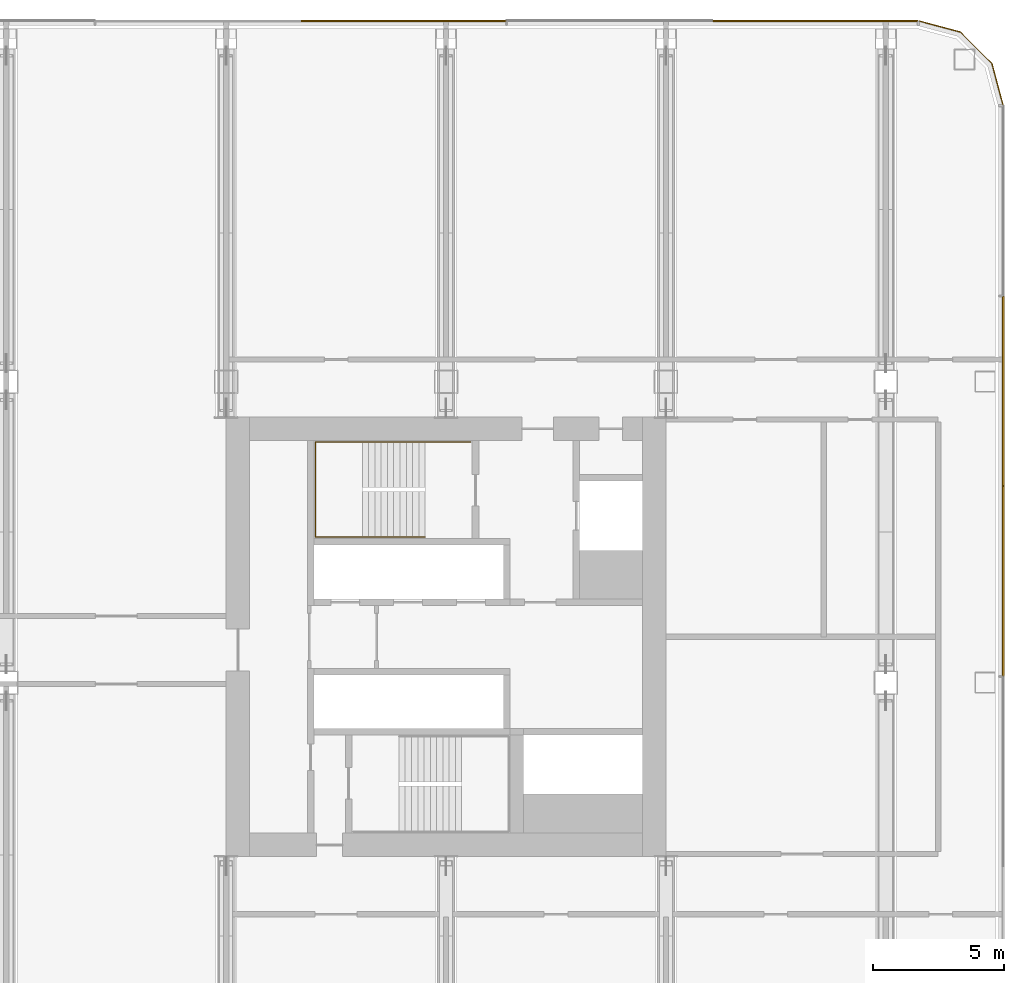
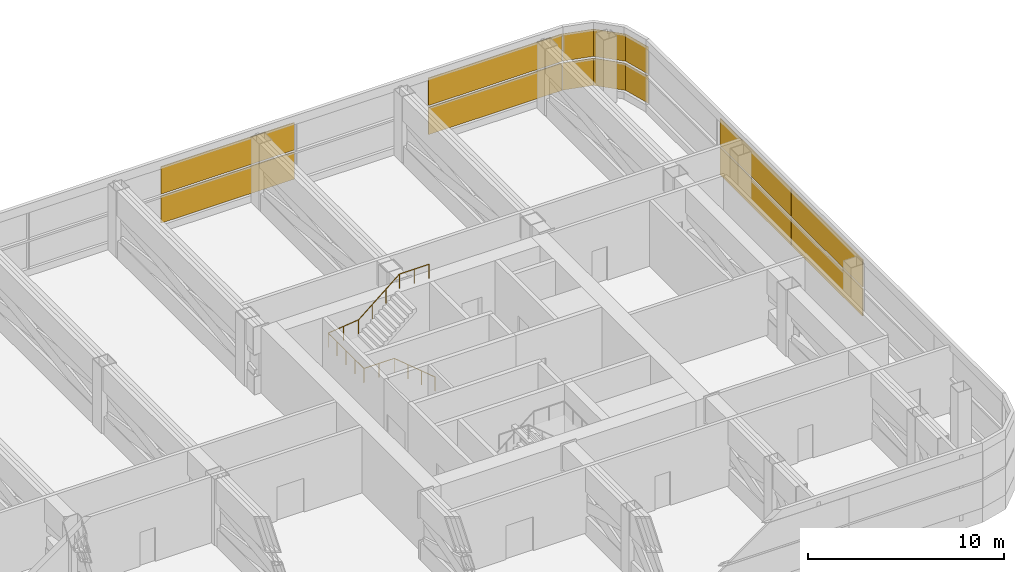
# One storey, part 31 of 31: 10 shading devices, 1 railing, 3 elements without a shape of their own.
"""IFC4 building model written with IfcOpenShell, lengths in metres."""

from ifc_helpers import new_model, si_unit, direction, frame, origin, origin_2d, place, context, subcontext, project, spatial, polyline, rectangle, circle, outline, extrude, material, layer, layer_set, type_object, element, aggregate, save


model = new_model("IFC4")

# Units and contexts
model_context = context("Model", 3, precision=1e-05, world=origin(), true_north=direction((0.0, 1.0)))
body_context = subcontext(model_context, "Body", "Model", "MODEL_VIEW")
ifc_project = project(units=[si_unit("LENGTHUNIT", "METRE"), si_unit("AREAUNIT", "SQUARE_METRE"), si_unit("VOLUMEUNIT", "CUBIC_METRE"), si_unit("PLANEANGLEUNIT", "RADIAN"), si_unit("MASSUNIT", "GRAM", prefix="KILO")], contexts=[model_context])

# Site, building, storey
site_placement = place(None, origin())
site = spatial("IfcSite", under=ifc_project, at=site_placement, CompositionType="ELEMENT")
building_placement = place(site_placement, origin())
building = spatial("IfcBuilding", under=site, at=building_placement, Name="Hakoniwa Tower and Hamabe Station Hall", CompositionType="ELEMENT")
storey_placement = place(building_placement, frame((0.0, 0.0, 120.199951171875)))
storey = spatial("IfcBuildingStorey", under=building, at=storey_placement, Name="L34", CompositionType="ELEMENT", Elevation=120.199951171875)

# Curtain wall, shading devices
ifc_material_1 = material(Name="Dark low-e laminated glass", Category="glass")
ifc_layer_1 = layer(ifc_material_1, 0.199951171875)
ifc_layer_set_1 = layer_set([ifc_layer_1], Name="CW-6 PLANT LOUVRE")
curtain_wall_type = type_object("IfcCurtainWallType", Name="CW-6 PLANT LOUVRE", PredefinedType="NOTDEFINED", material=ifc_layer_set_1)
curtain_wall_1_placement = place(storey_placement, origin())
curtain_wall_1 = element("IfcCurtainWall", 1, at=curtain_wall_1_placement, inside=storey, type_object=curtain_wall_type, Name="CW-6 curtain wall", PredefinedType="NOTDEFINED")
ifc_material_2 = material(Name="Aluminium 6063-T5 black anodised louvre", Category="aluminium")
ifc_layer_2 = layer(ifc_material_2, 0.06005859375)
ifc_layer_set_2 = layer_set([ifc_layer_2], Name="CW-6 LOUVRE UNIT")
shading_device_type = type_object("IfcShadingDeviceType", Name="CW-6 LOUVRE UNIT", PredefinedType="JALOUSIE", material=ifc_layer_set_2)
shading_device_1_placement = place(storey_placement, frame((46.486083984375, 2.125, 0.35009765625), z_axis=(0.0, 0.0, 1.0), x_axis=(0.0, 1.0, 0.0)))
shading_device_1 = element("IfcShadingDevice", 2, at=shading_device_1_placement, type_object=shading_device_type, Name="CW-6 louvre unit", PredefinedType="JALOUSIE", context=body_context, shape_type="SweptSolid", body=[
    extrude(rectangle(XDim=7.245849609375, YDim=0.06005859375, at=origin_2d()), origin(), (0.0, 0.0, 1.0), 1.68994140625),
])
shading_device_2_placement = place(storey_placement, frame((46.486083984375, 2.125, 2.16015625), z_axis=(0.0, 0.0, 1.0), x_axis=(0.0, 1.0, 0.0)))
shading_device_2 = element("IfcShadingDevice", 3, at=shading_device_2_placement, type_object=shading_device_type, Name="CW-6 louvre unit", PredefinedType="JALOUSIE", context=body_context, shape_type="SweptSolid", body=[
    extrude(rectangle(XDim=7.245849609375, YDim=0.06005859375, at=origin_2d()), origin(), (0.0, 0.0, 1.0), 1.68994140625),
])
shading_device_3_placement = place(storey_placement, frame((46.486083984375, 9.390869140625, 0.35009765625), z_axis=(0.0, 0.0, 1.0), x_axis=(0.0, 1.0, 0.0)))
shading_device_3 = element("IfcShadingDevice", 4, at=shading_device_3_placement, type_object=shading_device_type, Name="CW-6 louvre unit", PredefinedType="JALOUSIE", context=body_context, shape_type="SweptSolid", body=[
    extrude(rectangle(XDim=7.245849609375, YDim=0.06005859375, at=origin_2d()), origin(), (0.0, 0.0, 1.0), 1.68994140625),
])
shading_device_4_placement = place(storey_placement, frame((46.486083984375, 9.390869140625, 2.16015625), z_axis=(0.0, 0.0, 1.0), x_axis=(0.0, 1.0, 0.0)))
shading_device_4 = element("IfcShadingDevice", 5, at=shading_device_4_placement, type_object=shading_device_type, Name="CW-6 louvre unit", PredefinedType="JALOUSIE", context=body_context, shape_type="SweptSolid", body=[
    extrude(rectangle(XDim=7.245849609375, YDim=0.06005859375, at=origin_2d()), origin(), (0.0, 0.0, 1.0), 1.68994140625),
])
aggregate(curtain_wall_1, [shading_device_1, shading_device_2, shading_device_3, shading_device_4])

curtain_wall_2_placement = place(storey_placement, origin())
curtain_wall_2 = element("IfcCurtainWall", 6, at=curtain_wall_2_placement, inside=storey, type_object=curtain_wall_type, Name="CW-6 curtain wall", PredefinedType="NOTDEFINED")
shading_device_5_placement = place(storey_placement, frame((0.0, 0.0, 0.35009765625)))
shading_device_5 = element("IfcShadingDevice", 7, at=shading_device_5_placement, type_object=shading_device_type, Name="CW-6 curved corner unit", PredefinedType="JALOUSIE", context=body_context, shape_type="SweptSolid", body=[
    extrude(outline(polyline([(46.48974609375, 20.328125), (46.067138671875, 21.9052734375), (44.855224609375, 23.116943359375), (43.278076171875, 23.53955078125), (43.27099609375, 23.5126953125), (44.8408203125, 23.092041015625), (46.0419921875, 21.890869140625), (46.462646484375, 20.32080078125), (46.48974609375, 20.328125)])), origin(), (0.0, 0.0, 1.0), 1.68994140625),
])
shading_device_6_placement = place(storey_placement, frame((0.0, 0.0, 2.16015625)))
shading_device_6 = element("IfcShadingDevice", 8, at=shading_device_6_placement, type_object=shading_device_type, Name="CW-6 curved corner unit", PredefinedType="JALOUSIE", context=body_context, shape_type="SweptSolid", body=[
    extrude(outline(polyline([(46.48974609375, 20.328125), (46.067138671875, 21.9052734375), (44.855224609375, 23.116943359375), (43.278076171875, 23.53955078125), (43.27099609375, 23.5126953125), (44.8408203125, 23.092041015625), (46.0419921875, 21.890869140625), (46.462646484375, 20.32080078125), (46.48974609375, 20.328125)])), origin(), (0.0, 0.0, 1.0), 1.68994140625),
])
aggregate(curtain_wall_2, [shading_device_5, shading_device_6])

curtain_wall_3_placement = place(storey_placement, origin())
curtain_wall_3 = element("IfcCurtainWall", 9, at=curtain_wall_3_placement, inside=storey, type_object=curtain_wall_type, Name="CW-6 curtain wall", PredefinedType="NOTDEFINED")
shading_device_7_placement = place(storey_placement, frame((39.30859375, 23.535888671875, 0.35009765625), z_axis=(0.0, 0.0, 1.0), x_axis=(-1.0, 0.0, 0.0)))
shading_device_7 = element("IfcShadingDevice", 10, at=shading_device_7_placement, type_object=shading_device_type, Name="CW-6 louvre unit", PredefinedType="JALOUSIE", context=body_context, shape_type="SweptSolid", body=[
    extrude(rectangle(XDim=7.841796875, YDim=0.06005859375, at=origin_2d()), origin(), (0.0, 0.0, 1.0), 1.68994140625),
])
shading_device_8_placement = place(storey_placement, frame((39.30859375, 23.535888671875, 2.16015625), z_axis=(0.0, 0.0, 1.0), x_axis=(-1.0, 0.0, 0.0)))
shading_device_8 = element("IfcShadingDevice", 11, at=shading_device_8_placement, type_object=shading_device_type, Name="CW-6 louvre unit", PredefinedType="JALOUSIE", context=body_context, shape_type="SweptSolid", body=[
    extrude(rectangle(XDim=7.841796875, YDim=0.06005859375, at=origin_2d()), origin(), (0.0, 0.0, 1.0), 1.68994140625),
])
shading_device_9_placement = place(storey_placement, frame((23.585205078125, 23.535888671875, 0.35009765625), z_axis=(0.0, 0.0, 1.0), x_axis=(-1.0, 0.0, 0.0)))
shading_device_9 = element("IfcShadingDevice", 12, at=shading_device_9_placement, type_object=shading_device_type, Name="CW-6 louvre unit", PredefinedType="JALOUSIE", context=body_context, shape_type="SweptSolid", body=[
    extrude(rectangle(XDim=7.841796875, YDim=0.06005859375, at=origin_2d()), origin(), (0.0, 0.0, 1.0), 1.68994140625),
])
shading_device_10_placement = place(storey_placement, frame((23.585205078125, 23.535888671875, 2.16015625), z_axis=(0.0, 0.0, 1.0), x_axis=(-1.0, 0.0, 0.0)))
shading_device_10 = element("IfcShadingDevice", 13, at=shading_device_10_placement, type_object=shading_device_type, Name="CW-6 louvre unit", PredefinedType="JALOUSIE", context=body_context, shape_type="SweptSolid", body=[
    extrude(rectangle(XDim=7.841796875, YDim=0.06005859375, at=origin_2d()), origin(), (0.0, 0.0, 1.0), 1.68994140625),
])
aggregate(curtain_wall_3, [shading_device_7, shading_device_8, shading_device_9, shading_device_10])

# Railing
ifc_material_3 = material(Name="Stainless steel SUS304", Category="steel")
railing_type = type_object("IfcRailingType", Name="STAIR HANDRAIL 900", PredefinedType="HANDRAIL", material=ifc_material_3)
railing_placement = place(storey_placement, frame((24.39990234375, 3.81005859375, 0.199951171875)))
element("IfcRailing", 14, at=railing_placement, inside=storey, type_object=railing_type, Name="Handrail ST-3 L34 1", PredefinedType="HANDRAIL", context=body_context, shape_type="SweptSolid", body=[
    extrude(circle(Radius=0.02392578125, at=origin_2d()), frame((0.0, 0.0, 0.8759765625), z_axis=(-0.768208468069, 0.0, 0.640199773186), x_axis=(0.0, -1.0, 0.0)), (0.0, 0.0, 1.0), 3.1240234375),
    extrude(circle(Radius=0.02392578125, at=origin_2d()), frame((-2.39990234375, 0.0, 2.8759765625), z_axis=(-1.0, 0.0, 0.0), x_axis=(0.0, -1.0, 0.0)), (0.0, 0.0, 1.0), 1.7900390625),
    extrude(circle(Radius=0.02392578125, at=origin_2d()), frame((-4.18994140625, 0.0, 2.8759765625), z_axis=(0.0, 1.0, 0.0), x_axis=(-1.0, 0.0, 0.0)), (0.0, 0.0, 1.0), 3.6298828125),
    extrude(circle(Radius=0.02392578125, at=origin_2d()), frame((-4.18994140625, 3.6298828125, 2.8759765625), z_axis=(0.993804135676, 0.0, 0.111145579822), x_axis=(0.0, 1.0, 0.0)), (0.0, 0.0, 1.0), 1.80126953125),
    extrude(circle(Radius=0.02392578125, at=origin_2d()), frame((-2.39990234375, 3.6298828125, 3.076171875), z_axis=(0.768208468069, 0.0, 0.640199773186), x_axis=(0.0, 1.0, 0.0)), (0.0, 0.0, 1.0), 3.1240234375),
    extrude(circle(Radius=0.02392578125, at=origin_2d()), frame((0.0, 3.6298828125, 5.076171875), z_axis=(1.0, 0.0, 0.0), x_axis=(0.0, 1.0, 0.0)), (0.0, 0.0, 1.0), 1.739990234375),
    extrude(circle(Radius=0.02099609375, at=origin_2d()), origin(), (0.0, 0.0, 1.0), 0.851806640625),
    extrude(circle(Radius=0.02099609375, at=origin_2d()), frame((-0.800048828125, 0.0, 0.666748046875)), (0.0, 0.0, 1.0), 0.851806640625),
    extrude(circle(Radius=0.02099609375, at=origin_2d()), frame((-1.599853515625, 0.0, 1.333251953125)), (0.0, 0.0, 1.0), 0.851806640625),
    extrude(circle(Radius=0.02099609375, at=origin_2d()), frame((-2.39990234375, 0.0, 2.0)), (0.0, 0.0, 1.0), 0.851806640625),
    extrude(circle(Radius=0.02099609375, at=origin_2d()), frame((-3.294921875, 0.0, 2.0)), (0.0, 0.0, 1.0), 0.851806640625),
    extrude(circle(Radius=0.02099609375, at=origin_2d()), frame((-4.18994140625, 0.0, 2.0)), (0.0, 0.0, 1.0), 0.851806640625),
    extrude(circle(Radius=0.02099609375, at=origin_2d()), frame((-4.18994140625, 0.907470703125, 2.0)), (0.0, 0.0, 1.0), 0.851806640625),
    extrude(circle(Radius=0.02099609375, at=origin_2d()), frame((-4.18994140625, 1.81494140625, 2.0)), (0.0, 0.0, 1.0), 0.851806640625),
    extrude(circle(Radius=0.02099609375, at=origin_2d()), frame((-4.18994140625, 2.722412109375, 2.0)), (0.0, 0.0, 1.0), 0.851806640625),
    extrude(circle(Radius=0.02099609375, at=origin_2d()), frame((-4.18994140625, 3.6298828125, 2.0)), (0.0, 0.0, 1.0), 0.851806640625),
    extrude(circle(Radius=0.02099609375, at=origin_2d()), frame((-3.294921875, 3.6298828125, 2.10009765625)), (0.0, 0.0, 1.0), 0.851806640625),
    extrude(circle(Radius=0.02099609375, at=origin_2d()), frame((-2.39990234375, 3.6298828125, 2.2001953125)), (0.0, 0.0, 1.0), 0.851806640625),
    extrude(circle(Radius=0.02099609375, at=origin_2d()), frame((-1.599853515625, 3.6298828125, 2.866943359375)), (0.0, 0.0, 1.0), 0.851806640625),
    extrude(circle(Radius=0.02099609375, at=origin_2d()), frame((-0.800048828125, 3.6298828125, 3.533447265625)), (0.0, 0.0, 1.0), 0.851806640625),
    extrude(circle(Radius=0.02099609375, at=origin_2d()), frame((0.0, 3.6298828125, 4.2001953125)), (0.0, 0.0, 1.0), 0.851806640625),
    extrude(circle(Radius=0.02099609375, at=origin_2d()), frame((0.8701171875, 3.6298828125, 4.2001953125)), (0.0, 0.0, 1.0), 0.851806640625),
    extrude(circle(Radius=0.02099609375, at=origin_2d()), frame((1.739990234375, 3.6298828125, 4.2001953125)), (0.0, 0.0, 1.0), 0.851806640625),
])

save(model, "model.ifc")
